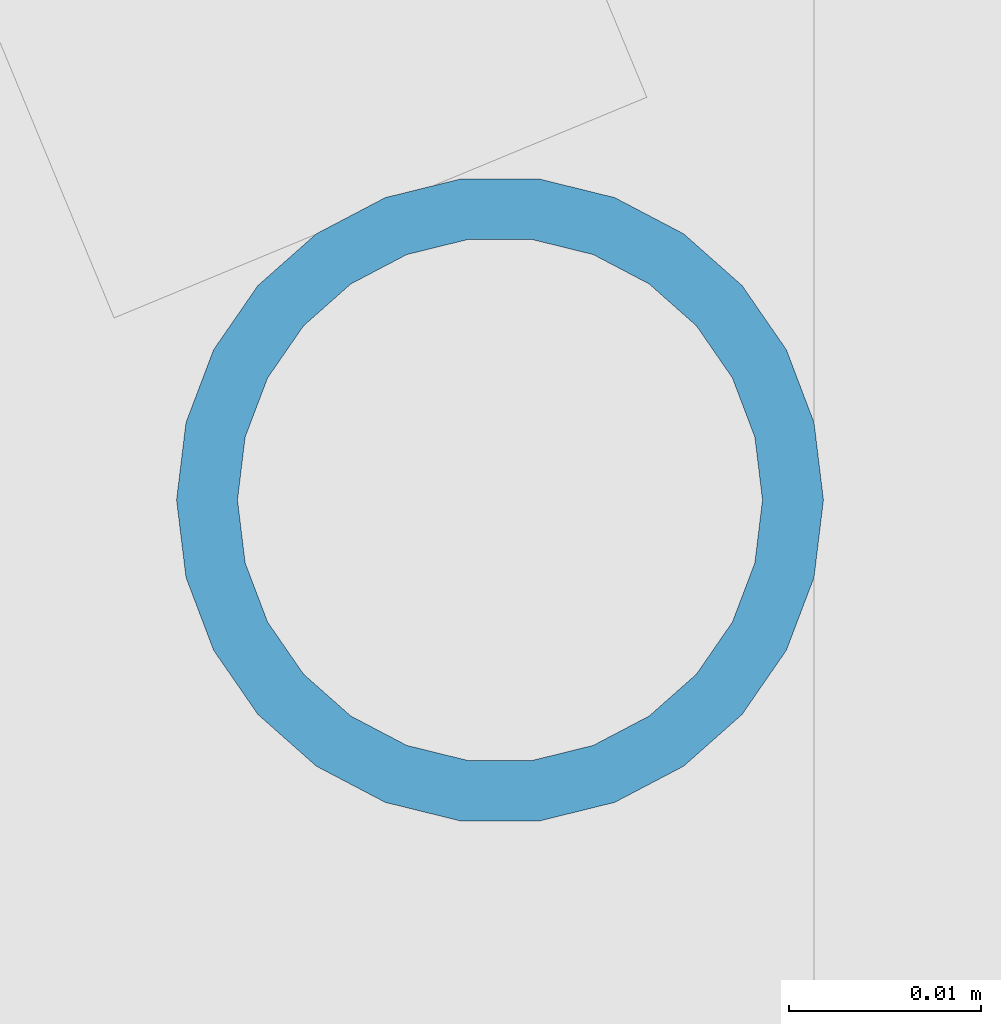
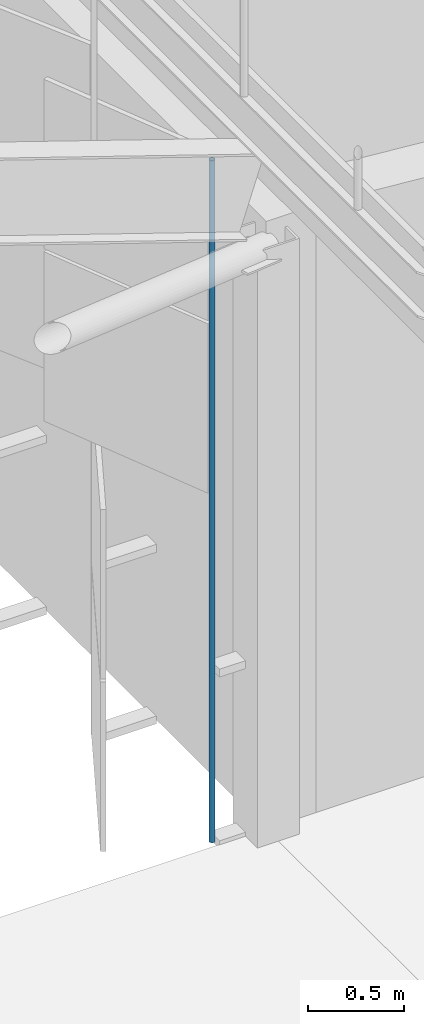
# One storey, part 187 of 483: 1 discrete accessory.
"""IFC4 building model written with IfcOpenShell, lengths in metres."""

from ifc_helpers import new_model, si_unit, direction, frame, origin, origin_2d, place, context, subcontext, project, spatial, hollow_circle, extrude, material, material_profile, profile_set, type_object, element, save


model = new_model("IFC4")

# Units and contexts
model_context = context("Model", 3, precision=1e-05, world=origin(), true_north=direction((0.0, 1.0)))
body_context = subcontext(model_context, "Body", "Model", "MODEL_VIEW")
ifc_project = project(units=[si_unit("LENGTHUNIT", "METRE"), si_unit("AREAUNIT", "SQUARE_METRE"), si_unit("VOLUMEUNIT", "CUBIC_METRE"), si_unit("PLANEANGLEUNIT", "RADIAN"), si_unit("MASSUNIT", "GRAM", prefix="KILO")], contexts=[model_context])

# Site, building, storey
site_placement = place(None, origin())
site = spatial("IfcSite", under=ifc_project, at=site_placement, CompositionType="ELEMENT")
building_placement = place(site_placement, origin())
building = spatial("IfcBuilding", under=site, at=building_placement, Name="Parallax Yard Mobility Hub", CompositionType="ELEMENT")
storey_placement = place(building_placement, frame((0.0, 0.0, 13.199951171875)))
storey = spatial("IfcBuildingStorey", under=building, at=storey_placement, Name="L04", CompositionType="ELEMENT", Elevation=13.199951171875)

# Discrete accessory
ifc_material = material(Name="Steel ASTM A500 Gr C, hot-dip galvanised", Category="steel")
ifc_material_profile = material_profile(ifc_material, hollow_circle(Radius=0.016845703125, WallThickness=0.003173828125, at=origin_2d()), Name="CHS 33.7x3.2")
ifc_profile_set = profile_set([ifc_material_profile], Name="Steel ASTM A500 Gr C, hot-dip galvanised")
discrete_accessory_type = type_object("IfcDiscreteAccessoryType", Name="Hinge post CHS 33.7x3.2", PredefinedType="BRACKET", material=ifc_profile_set)
discrete_accessory_placement = place(storey_placement, frame((194.699951171875, 75.047119140625, 0.0), z_axis=(0.0, 0.0, 1.0), x_axis=(1.0, 0.0, 0.0)))
element("IfcDiscreteAccessory", 1, at=discrete_accessory_placement, inside=storey, type_object=discrete_accessory_type, Name="Hinge post bay 23.14 level L04", PredefinedType="BRACKET", context=body_context, shape_type="SweptSolid", body=[
    extrude(hollow_circle(Radius=0.016845703125, WallThickness=0.003173828125, at=origin_2d()), origin(), (0.0, 0.0, 1.0), 4.35009765625),
])

save(model, "model.ifc")
